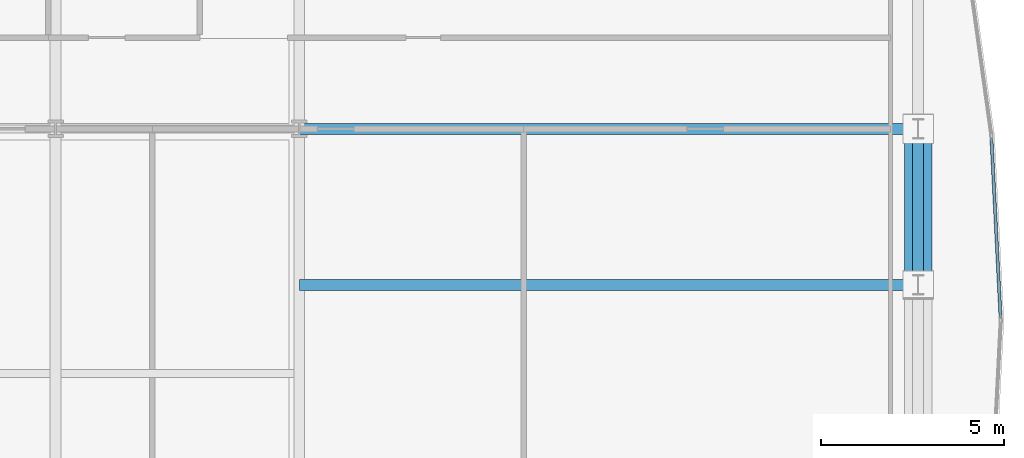
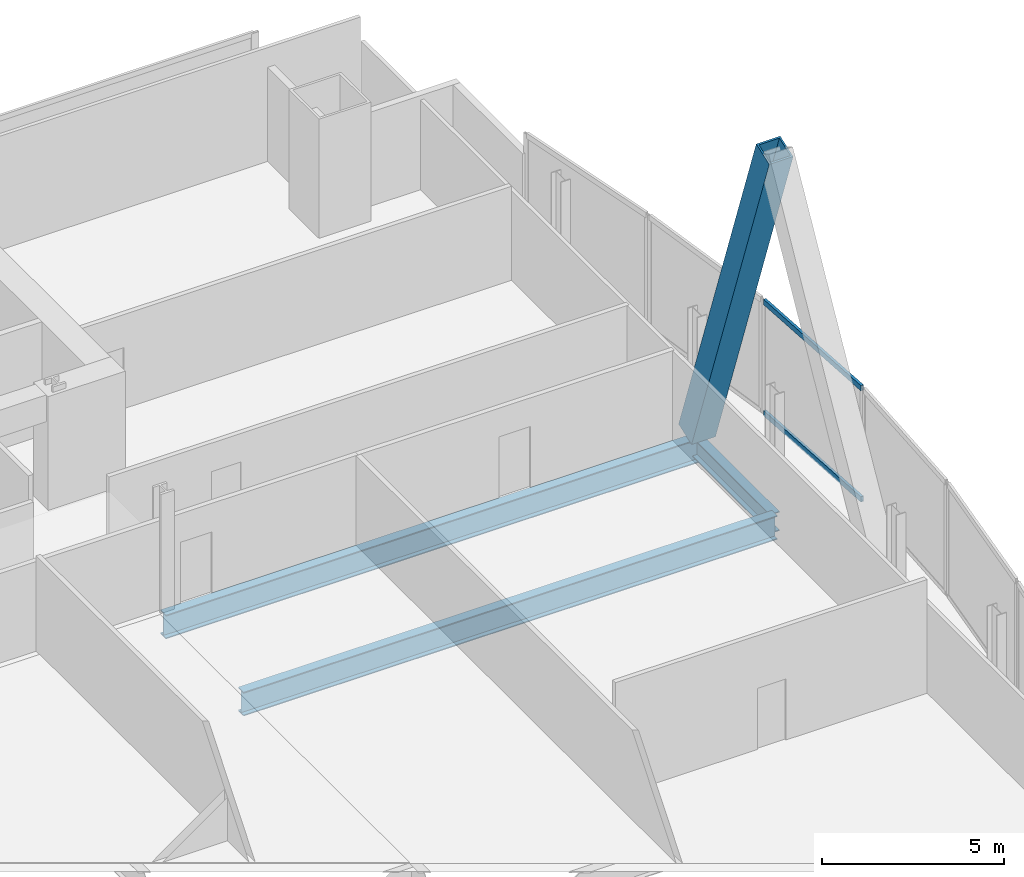
# One storey, part 24 of 37: 3 beams, 3 members, 1 element without a shape of its own.
"""IFC4 building model written with IfcOpenShell, lengths in metres."""

import ifcopenshell
import ifcopenshell.guid

model = None  # the IFC model being written
_history = None  # IfcOwnerHistory: only IFC2X3 demands one
_inside = {}  # id of a spatial element -> (the spatial element, [elements in it])
_under = {}  # id of a project, library or spatial element -> (it, [spatial elements below it])
_declared = {}  # id of a project -> (the project, [libraries it declares])
_typed = {}  # id of a type object -> (the type object, [elements of that type])
_made_of = {}  # id of a material, layer set ... -> (it, [elements and type objects made of it])


def new_model(schema):
    """Start an empty IFC model of exactly this schema.

    Asked for "IFC4X3", IfcOpenShell would pick the latest addendum, in which some entities
    have other attributes; the version numbers below select the first issue.
    IFC2X3 requires an IfcOwnerHistory on every rooted entity: one is made here for all.
    """
    global model, _history
    if schema == "IFC4X3":
        model = ifcopenshell.file(schema_version=(4, 3, 0, 0))
    else:
        model = ifcopenshell.file(schema=schema)
    _inside.clear()
    _under.clear()
    _declared.clear()
    _typed.clear()
    _made_of.clear()
    _history = None
    if model.schema == "IFC2X3":
        org = make("IfcOrganization", Name="unknown")
        user = make(
            "IfcPersonAndOrganization",
            ThePerson=make("IfcPerson", FamilyName="unknown"),
            TheOrganization=org,
        )
        app = make(
            "IfcApplication",
            ApplicationDeveloper=org,
            Version="unknown",
            ApplicationFullName="unknown",
            ApplicationIdentifier="unknown",
        )
        _history = make(
            "IfcOwnerHistory",
            OwningUser=user,
            OwningApplication=app,
            ChangeAction="ADDED",
            CreationDate=0,
        )
    return model


def make(cls, **values):
    """One entity of the class cls with the attributes given. An attribute that is None is left unset."""
    return model.create_entity(
        cls, **{name: value for name, value in values.items() if value is not None}
    )


def rooted(cls, **values):
    """An entity with a GlobalId (a new one), such as an element, a storey or a relation."""
    return make(cls, GlobalId=ifcopenshell.guid.new(), OwnerHistory=_history, **values)


def si_unit(unit_type, name, prefix=None):
    """IfcSIUnit, for example si_unit("LENGTHUNIT", "METRE", prefix="MILLI")."""
    return make("IfcSIUnit", UnitType=unit_type, Prefix=prefix, Name=name)


def assignment(units):
    """IfcUnitAssignment: the units of a project."""
    return None if units is None else make("IfcUnitAssignment", Units=units)


def point(xyz):
    """IfcCartesianPoint."""
    return None if xyz is None else make("IfcCartesianPoint", Coordinates=xyz)


def direction(xyz):
    """IfcDirection."""
    return None if xyz is None else make("IfcDirection", DirectionRatios=xyz)


def frame(location, z_axis=None, x_axis=None):
    """IfcAxis2Placement3D, a coordinate frame: its origin and axes. An axis left out is left unset."""
    return make(
        "IfcAxis2Placement3D",
        Location=point(location),
        Axis=direction(z_axis),
        RefDirection=direction(x_axis),
    )


def frame_2d(location, x_axis=None):
    """IfcAxis2Placement2D, a coordinate frame in the plane: its origin and x axis."""
    return make(
        "IfcAxis2Placement2D", Location=point(location), RefDirection=direction(x_axis)
    )


def origin():
    """The frame at (0, 0, 0) with its axes left unset."""
    return frame((0.0, 0.0, 0.0))


def origin_2d():
    """The frame at (0, 0) in the plane with its x axis left unset."""
    return frame_2d((0.0, 0.0))


def place(relative_to, where):
    """IfcLocalPlacement: puts the frame where relative to a parent placement (None: the world)."""
    return make(
        "IfcLocalPlacement", PlacementRelTo=relative_to, RelativePlacement=where
    )


def context(
    kind, dimensions, precision=None, world=None, true_north=None, identifier=None
):
    """IfcGeometricRepresentationContext, for example the 3D "Model" context."""
    return make(
        "IfcGeometricRepresentationContext",
        ContextIdentifier=identifier,
        ContextType=kind,
        CoordinateSpaceDimension=dimensions,
        Precision=precision,
        WorldCoordinateSystem=world,
        TrueNorth=true_north,
    )


def subcontext(parent, identifier, kind, view, scale=None):
    """IfcGeometricRepresentationSubContext, for example "Body" below "Model"."""
    return make(
        "IfcGeometricRepresentationSubContext",
        ContextIdentifier=identifier,
        ContextType=kind,
        ParentContext=parent,
        TargetScale=scale,
        TargetView=view,
    )


def project(units=None, contexts=None):
    """IfcProject with its units and contexts."""
    return rooted(
        "IfcProject",
        Name="project",
        RepresentationContexts=contexts,
        UnitsInContext=assignment(units),
    )


def spatial(cls, under=None, at=None, **own):
    """A site, building, storey or space (cls), placed at a placement, below another one or the project."""
    s = rooted(cls, ObjectPlacement=at, **own)
    if under is not None:
        _under.setdefault(under.id(), (under, []))[1].append(s)
    return s


def profile(cls, at=None, kind="AREA", **sizes):
    """A parametric profile (cls). Its sizes go by their IFC names, for example OverallWidth=200.0."""
    return make(cls, ProfileType=kind, Position=at, **sizes)


def hollow_rectangle(**sizes):
    """IfcRectangleHollowProfileDef."""
    return profile("IfcRectangleHollowProfileDef", **sizes)


def i_section(**sizes):
    """IfcIShapeProfileDef."""
    return profile("IfcIShapeProfileDef", **sizes)


def extrude(swept, where, along, depth):
    """IfcExtrudedAreaSolid: the profile swept, set in the frame where, extruded along a direction by depth."""
    return make(
        "IfcExtrudedAreaSolid",
        SweptArea=swept,
        Position=where,
        ExtrudedDirection=direction(along),
        Depth=depth,
    )


def shape(context_of_items, identifier, shape_type, items):
    """IfcShapeRepresentation: the items that make up one representation, for example the "Body"."""
    return make(
        "IfcShapeRepresentation",
        ContextOfItems=context_of_items,
        RepresentationIdentifier=identifier,
        RepresentationType=shape_type,
        Items=items,
    )


def material(Name=None, Category=None):
    """IfcMaterial."""
    return make("IfcMaterial", Name=Name, Category=Category)


def material_profile(
    of_material, cross_section, Name=None, Category=None, Priority=None
):
    """IfcMaterialProfile: a cross section and its material."""
    return make(
        "IfcMaterialProfile",
        Name=Name,
        Material=of_material,
        Profile=cross_section,
        Priority=Priority,
        Category=Category,
    )


def profile_set(profiles, Name=None, composite=None):
    """IfcMaterialProfileSet."""
    return make(
        "IfcMaterialProfileSet",
        Name=Name,
        MaterialProfiles=profiles,
        CompositeProfile=composite,
    )


def made_of(thing, what):
    """Note that an element or type object is made of a material, layer set ...; save() writes the relation."""
    if what is not None:
        _made_of.setdefault(what.id(), (what, []))[1].append(thing)
    return thing


def type_object(cls, material=None, **own):
    """A type object (cls), such as IfcWallType, which elements share."""
    return made_of(rooted(cls, **own), material)


def element(
    cls,
    number,
    at=None,
    inside=None,
    cuts=None,
    type_object=None,
    material=None,
    context=None,
    identifier="Body",
    shape_type=None,
    held_by="IfcProductDefinitionShape",
    body=None,
    shapes=None,
    **own,
):
    """One element of the class cls, such as IfcWall. Its Tag is "e" and its number.

    at: its placement. inside: the storey or other place that contains it. cuts: it is an
    opening in that element (IfcRelVoidsElement). A single representation is given by context,
    identifier, shape_type and body (its items); several are given by shapes. held_by: the class
    of the entity that holds the representations. save() writes the other relations.
    """
    e = rooted(cls, Tag="e%d" % number, ObjectPlacement=at, **own)
    if body is not None:
        shapes = [shape(context, identifier, shape_type, body)]
    if shapes is not None:
        e.Representation = make(held_by, Representations=shapes)
    if inside is not None:
        _inside.setdefault(inside.id(), (inside, []))[1].append(e)
    if cuts is not None:
        rooted(
            "IfcRelVoidsElement", RelatingBuildingElement=cuts, RelatedOpeningElement=e
        )
    if type_object is not None:
        _typed.setdefault(type_object.id(), (type_object, []))[1].append(e)
    return made_of(e, material)


def aggregate(whole, parts):
    """IfcRelAggregates: a whole, such as a stair, and the parts it consists of."""
    return rooted("IfcRelAggregates", RelatingObject=whole, RelatedObjects=parts)


def save(model, path):
    """Write the relations noted so far, then the file.

    IfcRelAggregates (storeys below a building ...), IfcRelContainedInSpatialStructure (elements
    in a storey), IfcRelDefinesByType, IfcRelAssociatesMaterial and IfcRelDeclares: one each for
    every whole, place, type object, material and project.
    """
    for whole, parts in _under.values():
        aggregate(whole, parts)
    for where, things in _inside.values():
        rooted(
            "IfcRelContainedInSpatialStructure",
            RelatedElements=things,
            RelatingStructure=where,
        )
    for kind, things in _typed.values():
        rooted("IfcRelDefinesByType", RelatedObjects=things, RelatingType=kind)
    for what, things in _made_of.values():
        rooted("IfcRelAssociatesMaterial", RelatedObjects=things, RelatingMaterial=what)
    for by, libraries in _declared.values():
        rooted("IfcRelDeclares", RelatingContext=by, RelatedDefinitions=libraries)
    model.write(path)


model = new_model("IFC4")

# Units and contexts
model_context = context("Model", 3, precision=1e-05, world=origin(), true_north=direction((0.0, 1.0)))
body_context = subcontext(model_context, "Body", "Model", "MODEL_VIEW")
ifc_project = project(units=[si_unit("LENGTHUNIT", "METRE"), si_unit("AREAUNIT", "SQUARE_METRE"), si_unit("VOLUMEUNIT", "CUBIC_METRE"), si_unit("PLANEANGLEUNIT", "RADIAN"), si_unit("MASSUNIT", "GRAM", prefix="KILO")], contexts=[model_context])

# Site, building, storey
site_placement = place(None, origin())
site = spatial("IfcSite", under=ifc_project, at=site_placement, CompositionType="ELEMENT")
building_placement = place(site_placement, origin())
building = spatial("IfcBuilding", under=site, at=building_placement, Name="Khoronbel Lancet Exchange", CompositionType="ELEMENT")
storey_placement = place(building_placement, frame((0.0, 0.0, 61.800048828125)))
storey = spatial("IfcBuildingStorey", under=building, at=storey_placement, Name="L14", CompositionType="ELEMENT", Elevation=61.800048828125)

# Beams
ifc_material_1 = material(Name="Steel S355", Category="steel")
ifc_material_profile_1 = material_profile(ifc_material_1, i_section(OverallWidth=0.300048828125, OverallDepth=0.800048828125, WebThickness=0.017578125, FlangeThickness=0.032958984375, at=origin_2d()), Name="HEB 800")
ifc_profile_set_1 = profile_set([ifc_material_profile_1], Name="Steel S355")
beam_type_1 = type_object("IfcBeamType", Name="BM-BG2", PredefinedType="BEAM", material=ifc_profile_set_1)
for number, where, z_axis, x_axis, name in (
    (1, (54.675048828125, 31.425048828125, -0.580078125), (1.0, 0.0, 0.0), (0.0, 1.0, 0.0), "Level L14 east lens tie girder LG2E"),
    (2, (54.675048828125, 35.699951171875, -0.580078125), (1.0, 0.0, 0.0), (0.0, 1.0, 0.0), "Level L14 east lens tie girder LG4E"),
):
    element("IfcBeam", number, at=place(storey_placement, frame(where, z_axis=z_axis, x_axis=x_axis)), inside=storey, type_object=beam_type_1, Name=name, PredefinedType="BEAM", context=body_context, shape_type="SweptSolid", body=[
        extrude(i_section(OverallWidth=0.300048828125, OverallDepth=0.800048828125, WebThickness=0.017578125, FlangeThickness=0.032958984375, at=origin_2d()), origin(), (0.0, 0.0, 1.0), 16.954833984375),
    ])
ifc_material_profile_2 = material_profile(ifc_material_1, i_section(OverallWidth=0.300048828125, OverallDepth=0.64990234375, WebThickness=0.01611328125, FlangeThickness=0.031005859375, at=origin_2d()), Name="HEB 650")
ifc_profile_set_2 = profile_set([ifc_material_profile_2], Name="Steel S355")
beam_type_2 = type_object("IfcBeamType", Name="BM-BSP1", PredefinedType="SPANDREL", material=ifc_profile_set_2)
beam_placement = place(storey_placement, frame((71.6298828125, 31.425048828125, -0.505126953125), z_axis=(0.0, 1.0, 0.0), x_axis=(-1.0, 0.0, 0.0)))
element("IfcBeam", 3, at=beam_placement, inside=storey, type_object=beam_type_2, Name="Level L14 perimeter spandrel beam SP13", PredefinedType="SPANDREL", context=body_context, shape_type="SweptSolid", body=[
    extrude(i_section(OverallWidth=0.300048828125, OverallDepth=0.64990234375, WebThickness=0.01611328125, FlangeThickness=0.031005859375, at=origin_2d()), origin(), (0.0, 0.0, 1.0), 4.27490234375),
])

# Curtain wall, members
ifc_material_2 = material(Name="Low-E Solar Control Insulating Glass", Category="glass")
curtain_wall_type = type_object("IfcCurtainWallType", Name="CW-4", PredefinedType="NOTDEFINED", material=ifc_material_2)
curtain_wall_placement = place(storey_placement, origin())
curtain_wall = element("IfcCurtainWall", 4, at=curtain_wall_placement, inside=storey, type_object=curtain_wall_type, Name="Unitised curtain wall CW-L14-E19", PredefinedType="NOTDEFINED")
ifc_material_3 = material(Name="Bronze-Anodised Aluminium 6063-T6", Category="aluminium")
ifc_material_profile_3 = material_profile(ifc_material_3, hollow_rectangle(XDim=0.0849609375, YDim=0.179931640625, WallThickness=0.0048828125, at=origin_2d()), Name="ALU TRANSOM 85x180")
ifc_profile_set_3 = profile_set([ifc_material_profile_3], Name="Bronze-Anodised Aluminium 6063-T6")
member_type_1 = type_object("IfcMemberType", Name="MEM-CWT1", PredefinedType="USERDEFINED", material=ifc_profile_set_3)
member_1_placement = place(storey_placement, frame((73.635986328125, 35.449951171875, 0.04248046875), z_axis=(0.050794406799, -0.998709130948, 0.0), x_axis=(0.998709130948, 0.050794406799, 0.0)))
member_1 = element("IfcMember", 5, at=member_1_placement, type_object=member_type_1, Name="CW4 transom 1.1", ObjectType="TRANSOM", PredefinedType="USERDEFINED", context=body_context, shape_type="SweptSolid", body=[
    extrude(hollow_rectangle(XDim=0.0849609375, YDim=0.179931640625, WallThickness=0.0048828125, at=origin_2d()), origin(), (0.0, 0.0, 1.0), 4.931396484375),
])
member_2_placement = place(storey_placement, frame((73.635986328125, 35.449951171875, 3.77734375), z_axis=(0.050794406799, -0.998709130948, 0.0), x_axis=(0.998709130948, 0.050794406799, 0.0)))
member_2 = element("IfcMember", 6, at=member_2_placement, type_object=member_type_1, Name="CW4 transom 1.2", ObjectType="TRANSOM", PredefinedType="USERDEFINED", context=body_context, shape_type="SweptSolid", body=[
    extrude(hollow_rectangle(XDim=0.0849609375, YDim=0.179931640625, WallThickness=0.0048828125, at=origin_2d()), origin(), (0.0, 0.0, 1.0), 4.931396484375),
])
aggregate(curtain_wall, [member_1, member_2])

# Member
ifc_material_4 = material(Name="Steel S460", Category="steel")
ifc_material_profile_4 = material_profile(ifc_material_4, hollow_rectangle(XDim=0.760009765625, YDim=0.760009765625, WallThickness=0.054931640625, at=origin_2d()), Name="BOX 760x760x55")
ifc_profile_set_4 = profile_set([ifc_material_profile_4], Name="Steel S460")
member_type_2 = type_object("IfcMemberType", Name="MEM-MB1", PredefinedType="BRACE", material=ifc_profile_set_4)
member_3_placement = place(storey_placement, frame((71.6298828125, 35.699951171875, 0.0), z_axis=(0.0, -0.335583554792, 0.94201044461), x_axis=(1.0, 0.0, 0.0)))
element("IfcMember", 7, at=member_3_placement, inside=storey, type_object=member_type_2, Name="Perimeter lancet brace tier 4 E-P-R", PredefinedType="BRACE", context=body_context, shape_type="SweptSolid", body=[
    extrude(hollow_rectangle(XDim=0.760009765625, YDim=0.760009765625, WallThickness=0.054931640625, at=origin_2d()), origin(), (0.0, 0.0, 1.0), 12.73876953125),
])

save(model, "model.ifc")
